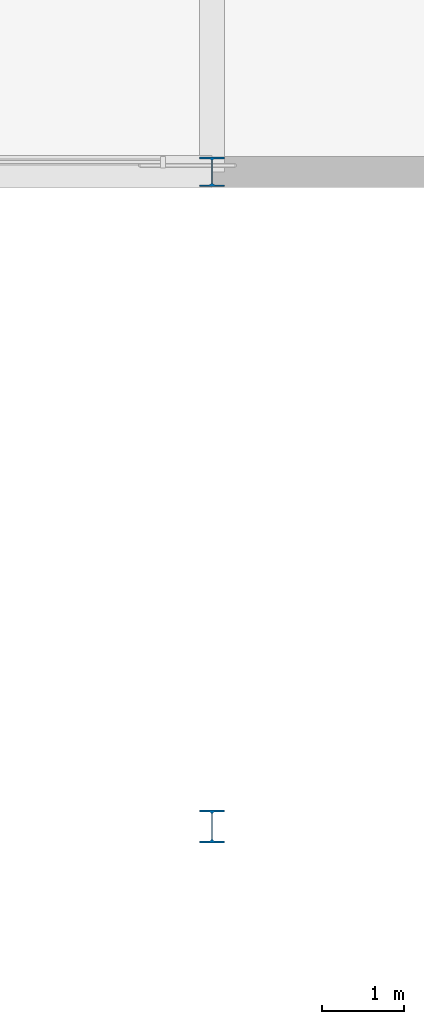
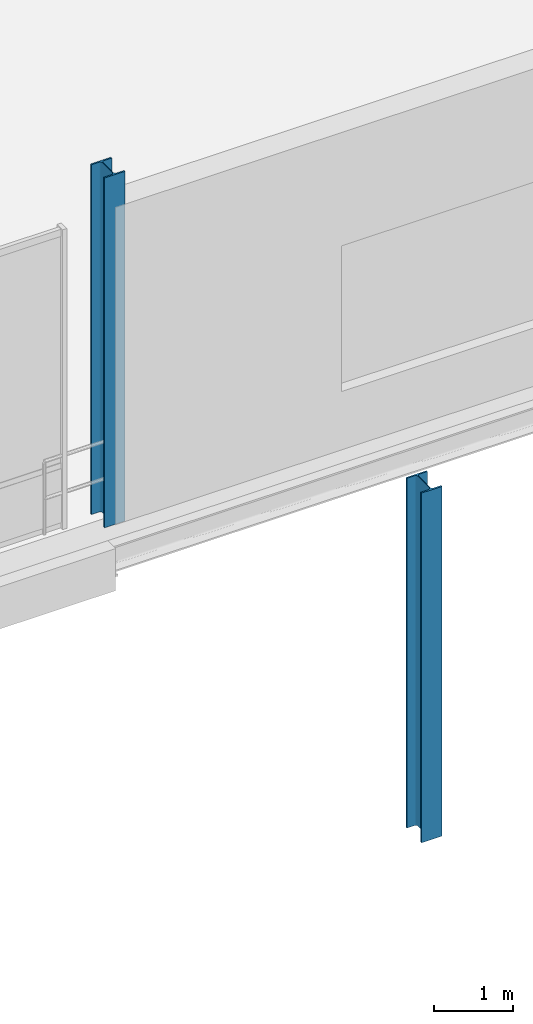
# One storey, part 18 of 129: 2 columns.
"""IFC4 building model written with IfcOpenShell, lengths in metres."""

from ifc_helpers import new_model, si_unit, direction, frame, origin, origin_2d, place, context, subcontext, project, spatial, i_section, extrude, material, material_profile, profile_set, type_object, element, save


model = new_model("IFC4")

# Units and contexts
model_context = context("Model", 3, precision=1e-05, world=origin(), true_north=direction((0.0, 1.0)))
body_context = subcontext(model_context, "Body", "Model", "MODEL_VIEW")
ifc_project = project(units=[si_unit("LENGTHUNIT", "METRE"), si_unit("AREAUNIT", "SQUARE_METRE"), si_unit("VOLUMEUNIT", "CUBIC_METRE"), si_unit("PLANEANGLEUNIT", "RADIAN"), si_unit("MASSUNIT", "GRAM", prefix="KILO")], contexts=[model_context])

# Site, building, storey
site_placement = place(None, origin())
site = spatial("IfcSite", under=ifc_project, at=site_placement, CompositionType="ELEMENT")
building_placement = place(site_placement, origin())
building = spatial("IfcBuilding", under=site, at=building_placement, Name="Danafjord Basin Convention Centre", CompositionType="ELEMENT")
storey_placement = place(building_placement, frame((0.0, 0.0, 6.0)))
storey = spatial("IfcBuildingStorey", under=building, at=storey_placement, Name="L01", CompositionType="ELEMENT", Elevation=6.0)

# Columns
ifc_material = material(Name="Steel S355", Category="steel")
ifc_material_profile_1 = material_profile(ifc_material, i_section(OverallWidth=0.300048828125, OverallDepth=0.360107421875, WebThickness=0.012451171875, FlangeThickness=0.0224609375, FilletRadius=0.027099609375, at=origin_2d()), Name="HEB 360")
ifc_profile_set_1 = profile_set([ifc_material_profile_1], Name="Steel S355")
column_type_1 = type_object("IfcColumnType", Name="COL-C-HEB360", PredefinedType="COLUMN", material=ifc_profile_set_1)
column_1_placement = place(storey_placement, frame((182.39990234375, 88.0, 0.0), z_axis=(0.0, 0.0, 1.0), x_axis=(1.0, 0.0, 0.0)))
element("IfcColumn", 1, at=column_1_placement, inside=storey, type_object=column_type_1, Name="L01 column C-HEB360 at (182.4, 88.0)", PredefinedType="COLUMN", context=body_context, shape_type="SweptSolid", body=[
    extrude(i_section(OverallWidth=0.300048828125, OverallDepth=0.360107421875, WebThickness=0.012451171875, FlangeThickness=0.0224609375, FilletRadius=0.027099609375, at=origin_2d()), origin(), (0.0, 0.0, 1.0), 5.39990234375),
])
ifc_material_profile_2 = material_profile(ifc_material, i_section(OverallWidth=0.300048828125, OverallDepth=0.39990234375, WebThickness=0.013427734375, FlangeThickness=0.02392578125, FilletRadius=0.027099609375, at=origin_2d()), Name="HEB 400")
ifc_profile_set_2 = profile_set([ifc_material_profile_2], Name="Steel S355")
column_type_2 = type_object("IfcColumnType", Name="COL-C-HEB400", PredefinedType="COLUMN", material=ifc_profile_set_2)
column_2_placement = place(storey_placement, frame((182.39990234375, 80.0, 0.0), z_axis=(0.0, 0.0, 1.0), x_axis=(1.0, 0.0, 0.0)))
element("IfcColumn", 2, at=column_2_placement, inside=storey, type_object=column_type_2, Name="L01 column C-HEB400 at (182.4, 80.0)", PredefinedType="COLUMN", context=body_context, shape_type="SweptSolid", body=[
    extrude(i_section(OverallWidth=0.300048828125, OverallDepth=0.39990234375, WebThickness=0.013427734375, FlangeThickness=0.02392578125, FilletRadius=0.027099609375, at=origin_2d()), origin(), (0.0, 0.0, 1.0), 5.39990234375),
])

save(model, "model.ifc")
